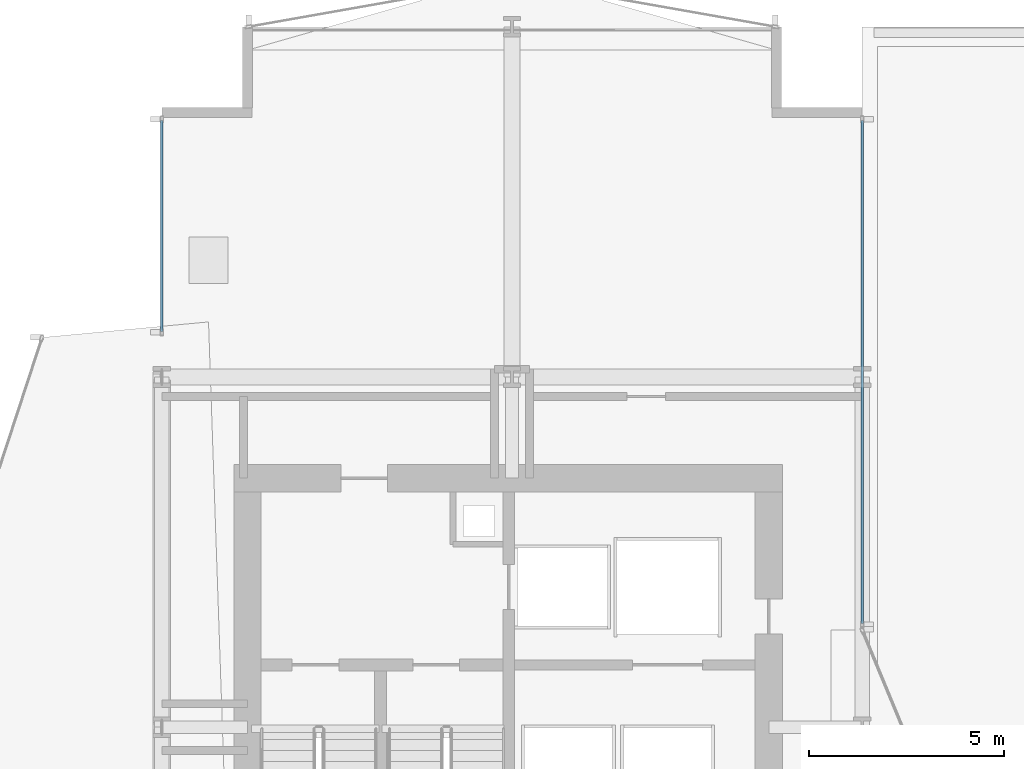
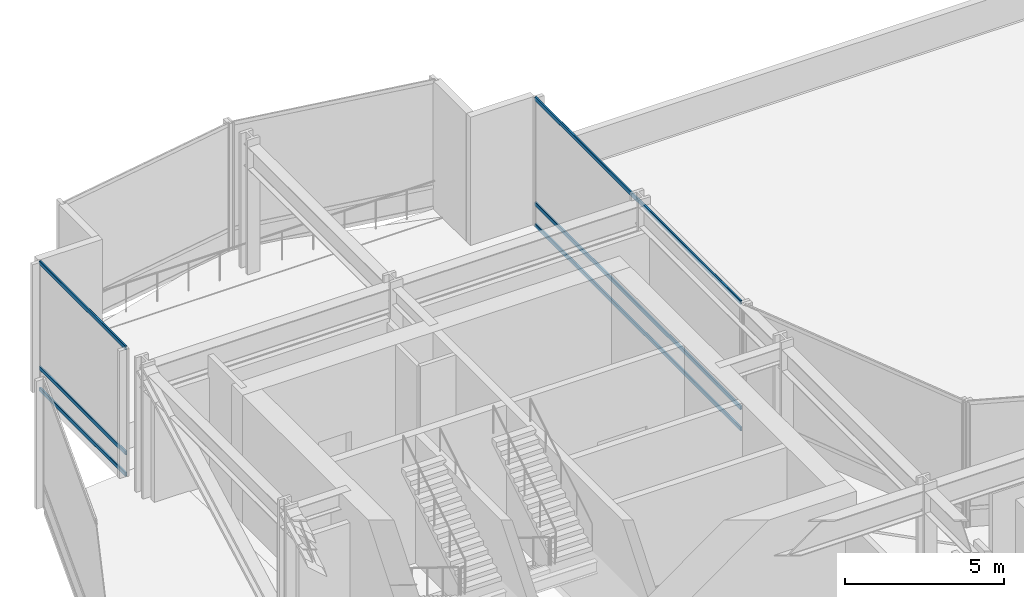
# One storey, part 20 of 37: 6 members, 2 elements without a shape of their own.
"""IFC4 building model written with IfcOpenShell, lengths in metres."""

from ifc_helpers import new_model, si_unit, direction, frame, origin, origin_2d, place, context, subcontext, project, spatial, hollow_rectangle, extrude, material, layer, layer_set, material_profile, profile_set, type_object, element, aggregate, save


model = new_model("IFC4")

# Units and contexts
model_context = context("Model", 3, precision=1e-05, world=origin(), true_north=direction((0.0, 1.0)))
body_context = subcontext(model_context, "Body", "Model", "MODEL_VIEW")
ifc_project = project(units=[si_unit("LENGTHUNIT", "METRE"), si_unit("AREAUNIT", "SQUARE_METRE"), si_unit("VOLUMEUNIT", "CUBIC_METRE"), si_unit("PLANEANGLEUNIT", "RADIAN"), si_unit("MASSUNIT", "GRAM", prefix="KILO")], contexts=[model_context])

# Site, building, storey
site_placement = place(None, origin())
site = spatial("IfcSite", under=ifc_project, at=site_placement, CompositionType="ELEMENT")
building_placement = place(site_placement, origin())
building = spatial("IfcBuilding", under=site, at=building_placement, Name="Solvaryn Broadcast Tower", CompositionType="ELEMENT")
storey_placement = place(building_placement, frame((0.0, 0.0, 30.800048828125)))
storey = spatial("IfcBuildingStorey", under=building, at=storey_placement, Name="L06", CompositionType="ELEMENT", Elevation=30.800048828125)

# Curtain wall, members
ifc_material_1 = material(Name="Aluminium and Terracotta Unitised Curtain Wall", Category="masonry")
ifc_layer = layer(ifc_material_1, 0.199951171875)
ifc_layer_set = layer_set([ifc_layer], Name="CW-SYS2-LOWMID")
curtain_wall_type = type_object("IfcCurtainWallType", Name="CW-SYS2-LOWMID", PredefinedType="NOTDEFINED", material=ifc_layer_set)
curtain_wall_1_placement = place(storey_placement, origin())
curtain_wall_1 = element("IfcCurtainWall", 1, at=curtain_wall_1_placement, inside=storey, type_object=curtain_wall_type, Name="L06 Curtain Wall W2", PredefinedType="NOTDEFINED")
ifc_material_2 = material(Name="Anodised Aluminium 6063-T6", Category="aluminium")
ifc_material_profile = material_profile(ifc_material_2, hollow_rectangle(XDim=0.06494140625, YDim=0.14990234375, WallThickness=0.00390625, InnerFilletRadius=0.00390625, OuterFilletRadius=0.008056640625, at=origin_2d()))
ifc_profile_set = profile_set([ifc_material_profile], Name="Anodised Aluminium 6063-T6")
member_type = type_object("IfcMemberType", Name="CW-TRN-150", PredefinedType="USERDEFINED", material=ifc_profile_set)
member_1_placement = place(storey_placement, frame((9.0, 46.176025390625, 0.030029296875), z_axis=(0.0, 1.0, 0.0), x_axis=(-1.0, 0.0, 0.0)))
member_1 = element("IfcMember", 2, at=member_1_placement, type_object=member_type, Name="CWS2 transom 1.1", ObjectType="TRANSOM", PredefinedType="USERDEFINED", context=body_context, shape_type="SweptSolid", body=[
    extrude(hollow_rectangle(XDim=0.06494140625, YDim=0.14990234375, WallThickness=0.00390625, InnerFilletRadius=0.00390625, OuterFilletRadius=0.008056640625, at=origin_2d()), origin(), (0.0, 0.0, 1.0), 5.4140625),
])
member_2_placement = place(storey_placement, frame((9.0, 46.176025390625, 0.849853515625), z_axis=(0.0, 1.0, 0.0), x_axis=(-1.0, 0.0, 0.0)))
member_2 = element("IfcMember", 3, at=member_2_placement, type_object=member_type, Name="CWS2 transom 1.2", ObjectType="TRANSOM", PredefinedType="USERDEFINED", context=body_context, shape_type="SweptSolid", body=[
    extrude(hollow_rectangle(XDim=0.06494140625, YDim=0.14990234375, WallThickness=0.00390625, InnerFilletRadius=0.00390625, OuterFilletRadius=0.008056640625, at=origin_2d()), origin(), (0.0, 0.0, 1.0), 5.4140625),
])
member_3_placement = place(storey_placement, frame((9.0, 46.176025390625, 4.889892578125), z_axis=(0.0, 1.0, 0.0), x_axis=(-1.0, 0.0, 0.0)))
member_3 = element("IfcMember", 4, at=member_3_placement, type_object=member_type, Name="CWS2 transom 1.3", ObjectType="TRANSOM", PredefinedType="USERDEFINED", context=body_context, shape_type="SweptSolid", body=[
    extrude(hollow_rectangle(XDim=0.06494140625, YDim=0.14990234375, WallThickness=0.00390625, InnerFilletRadius=0.00390625, OuterFilletRadius=0.008056640625, at=origin_2d()), origin(), (0.0, 0.0, 1.0), 5.4140625),
])
aggregate(curtain_wall_1, [member_1, member_2, member_3])

curtain_wall_2_placement = place(storey_placement, origin())
curtain_wall_2 = element("IfcCurtainWall", 5, at=curtain_wall_2_placement, inside=storey, type_object=curtain_wall_type, Name="L06 Curtain Wall IV", PredefinedType="NOTDEFINED")
member_4_placement = place(storey_placement, frame((27.0, 51.590087890625, 0.030029296875), z_axis=(0.0, -1.0, 0.0), x_axis=(1.0, 0.0, 0.0)))
member_4 = element("IfcMember", 6, at=member_4_placement, type_object=member_type, Name="CWS2 transom 1.1", ObjectType="TRANSOM", PredefinedType="USERDEFINED", context=body_context, shape_type="SweptSolid", body=[
    extrude(hollow_rectangle(XDim=0.06494140625, YDim=0.14990234375, WallThickness=0.00390625, InnerFilletRadius=0.00390625, OuterFilletRadius=0.008056640625, at=origin_2d()), origin(), (0.0, 0.0, 1.0), 12.93017578125),
])
member_5_placement = place(storey_placement, frame((27.0, 51.590087890625, 0.849853515625), z_axis=(0.0, -1.0, 0.0), x_axis=(1.0, 0.0, 0.0)))
member_5 = element("IfcMember", 7, at=member_5_placement, type_object=member_type, Name="CWS2 transom 1.2", ObjectType="TRANSOM", PredefinedType="USERDEFINED", context=body_context, shape_type="SweptSolid", body=[
    extrude(hollow_rectangle(XDim=0.06494140625, YDim=0.14990234375, WallThickness=0.00390625, InnerFilletRadius=0.00390625, OuterFilletRadius=0.008056640625, at=origin_2d()), origin(), (0.0, 0.0, 1.0), 12.93017578125),
])
member_6_placement = place(storey_placement, frame((27.0, 51.590087890625, 4.889892578125), z_axis=(0.0, -1.0, 0.0), x_axis=(1.0, 0.0, 0.0)))
member_6 = element("IfcMember", 8, at=member_6_placement, type_object=member_type, Name="CWS2 transom 1.3", ObjectType="TRANSOM", PredefinedType="USERDEFINED", context=body_context, shape_type="SweptSolid", body=[
    extrude(hollow_rectangle(XDim=0.06494140625, YDim=0.14990234375, WallThickness=0.00390625, InnerFilletRadius=0.00390625, OuterFilletRadius=0.008056640625, at=origin_2d()), origin(), (0.0, 0.0, 1.0), 12.93017578125),
])
aggregate(curtain_wall_2, [member_4, member_5, member_6])

save(model, "model.ifc")
